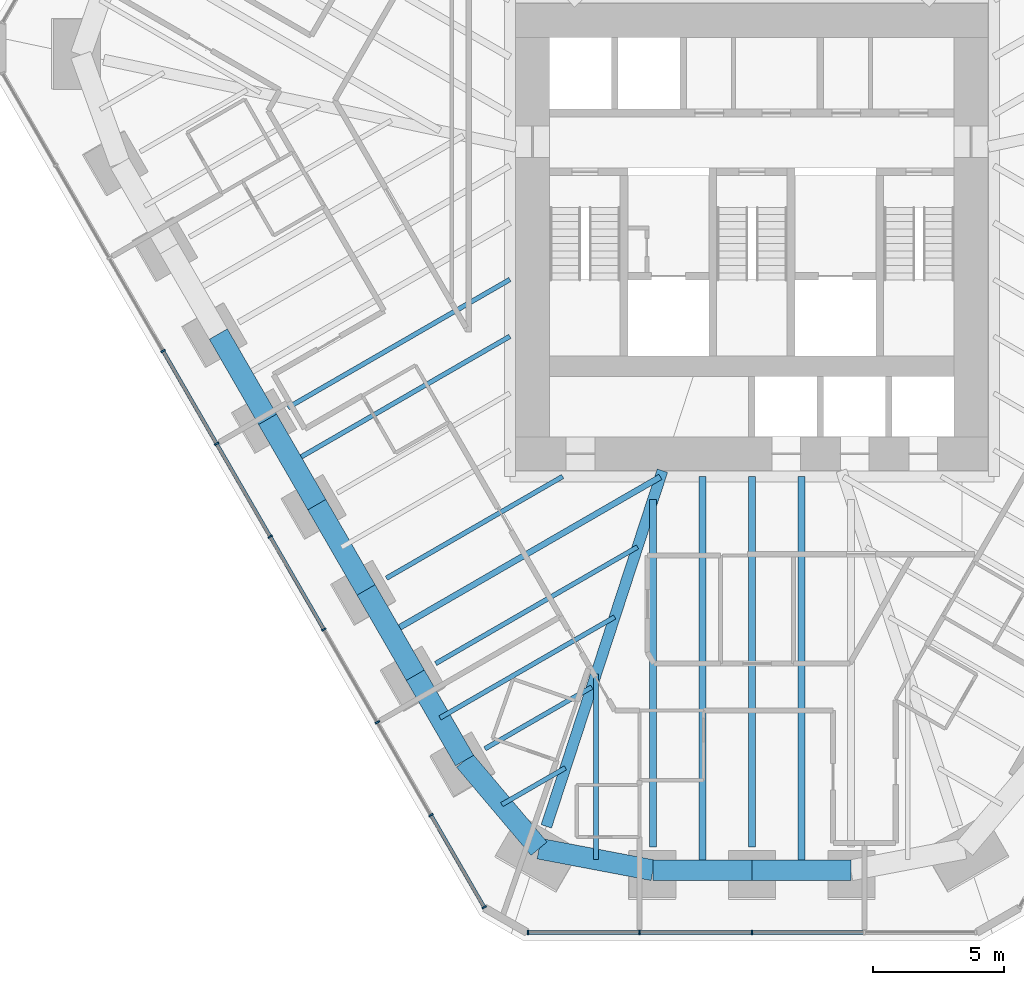
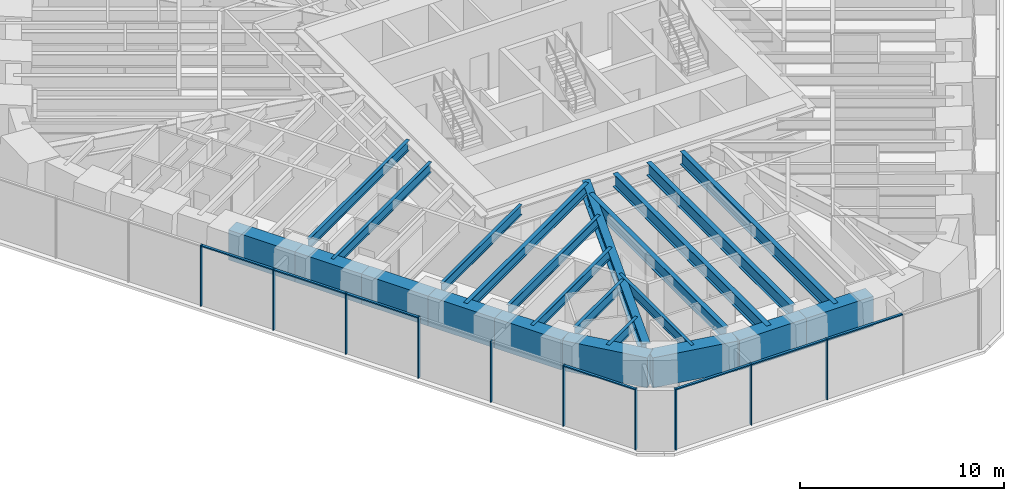
# One storey, part 2 of 17: 23 beams, 17 members, 2 elements without a shape of their own.
"""IFC4 building model written with IfcOpenShell, lengths in metres."""

from ifc_helpers import new_model, si_unit, direction, frame, origin, origin_2d, place, context, subcontext, project, spatial, rectangle, i_section, extrude, material, material_profile, profile_set, type_object, element, aggregate, save


model = new_model("IFC4")

# Units and contexts
model_context = context("Model", 3, precision=1e-05, world=origin(), true_north=direction((0.0, 1.0)))
body_context = subcontext(model_context, "Body", "Model", "MODEL_VIEW")
ifc_project = project(units=[si_unit("LENGTHUNIT", "METRE"), si_unit("AREAUNIT", "SQUARE_METRE"), si_unit("VOLUMEUNIT", "CUBIC_METRE"), si_unit("PLANEANGLEUNIT", "RADIAN"), si_unit("MASSUNIT", "GRAM", prefix="KILO")], contexts=[model_context])

# Site, building, storey
site_placement = place(None, origin())
site = spatial("IfcSite", under=ifc_project, at=site_placement, CompositionType="ELEMENT")
building_placement = place(site_placement, origin())
building = spatial("IfcBuilding", under=site, at=building_placement, Name="Sandreach Pilgrim Tower", CompositionType="ELEMENT")
storey_placement = place(building_placement, frame((0.0, 0.0, 165.199951171875)))
storey = spatial("IfcBuildingStorey", under=building, at=storey_placement, Name="L41", CompositionType="ELEMENT", Elevation=165.199951171875)

# Curtain wall, members
ifc_material_1 = material(Name="Aluminium framed curtain wall", Category="aluminium")
curtain_wall_type = type_object("IfcCurtainWallType", Name="Hotel tower curtain wall", PredefinedType="NOTDEFINED", material=ifc_material_1)
curtain_wall_1_placement = place(storey_placement, origin())
curtain_wall_1 = element("IfcCurtainWall", 1, at=curtain_wall_1_placement, inside=storey, type_object=curtain_wall_type, Name="CW-2 L41 S", PredefinedType="NOTDEFINED")
ifc_material_2 = material(Name="Aluminium extrusion", Category="aluminium")
ifc_material_profile_1 = material_profile(ifc_material_2, rectangle(XDim=0.06494140625, YDim=0.179931640625, at=origin_2d()), Name="CW-2M 65X180")
ifc_profile_set_1 = profile_set([ifc_material_profile_1], Name="Aluminium extrusion")
member_type_1 = type_object("IfcMemberType", Name="CW-2 mullion", PredefinedType="MULLION", material=ifc_profile_set_1)
member_1_placement = place(storey_placement, frame((0.0, -28.192138671875, 0.0), z_axis=(0.0, 0.0, 1.0), x_axis=(-1.0, 0.0, 0.0)))
member_1 = element("IfcMember", 2, at=member_1_placement, type_object=member_type_1, Name="CW-2 mullion 3", PredefinedType="MULLION", context=body_context, shape_type="SweptSolid", body=[
    extrude(rectangle(XDim=0.06494140625, YDim=0.179931640625, at=origin_2d()), origin(), (0.0, 0.0, 1.0), 3.64013671875),
])
member_2_placement = place(storey_placement, frame((-4.3056640625, -28.192138671875, 0.0), z_axis=(0.0, 0.0, 1.0), x_axis=(-1.0, 0.0, 0.0)))
member_2 = element("IfcMember", 3, at=member_2_placement, type_object=member_type_1, Name="CW-2 mullion 4", PredefinedType="MULLION", context=body_context, shape_type="SweptSolid", body=[
    extrude(rectangle(XDim=0.06494140625, YDim=0.179931640625, at=origin_2d()), origin(), (0.0, 0.0, 1.0), 3.64013671875),
])
member_3_placement = place(storey_placement, frame((-8.578857421875, -28.192138671875, 0.0), z_axis=(0.0, 0.0, 1.0), x_axis=(-1.0, 0.0, 0.0)))
member_3 = element("IfcMember", 4, at=member_3_placement, type_object=member_type_1, Name="CW-2 mullion 5", PredefinedType="MULLION", context=body_context, shape_type="SweptSolid", body=[
    extrude(rectangle(XDim=0.06494140625, YDim=0.179931640625, at=origin_2d()), origin(), (0.0, 0.0, 1.0), 3.64013671875),
])

curtain_wall_2_placement = place(storey_placement, origin())
curtain_wall_2 = element("IfcCurtainWall", 5, at=curtain_wall_2_placement, inside=storey, type_object=curtain_wall_type, Name="CW-2 L41 SW", PredefinedType="NOTDEFINED")
member_4_placement = place(storey_placement, frame((-10.255859375, -27.22412109375, 0.0), z_axis=(0.0, 0.0, 1.0), x_axis=(-0.5, 0.866025403784, 0.0)))
member_4 = element("IfcMember", 6, at=member_4_placement, type_object=member_type_1, Name="CW-2 mullion 1", PredefinedType="MULLION", context=body_context, shape_type="SweptSolid", body=[
    extrude(rectangle(XDim=0.06494140625, YDim=0.179931640625, at=origin_2d()), origin(), (0.0, 0.0, 1.0), 3.64013671875),
])
member_5_placement = place(storey_placement, frame((-12.29296875, -23.695556640625, 0.0), z_axis=(0.0, 0.0, 1.0), x_axis=(-0.5, 0.866025403784, 0.0)))
member_5 = element("IfcMember", 7, at=member_5_placement, type_object=member_type_1, Name="CW-2 mullion 2", PredefinedType="MULLION", context=body_context, shape_type="SweptSolid", body=[
    extrude(rectangle(XDim=0.06494140625, YDim=0.179931640625, at=origin_2d()), origin(), (0.0, 0.0, 1.0), 3.64013671875),
])
member_6_placement = place(storey_placement, frame((-14.346435546875, -20.138671875, 0.0), z_axis=(0.0, 0.0, 1.0), x_axis=(-0.5, 0.866025403784, 0.0)))
member_6 = element("IfcMember", 8, at=member_6_placement, type_object=member_type_1, Name="CW-2 mullion 3", PredefinedType="MULLION", context=body_context, shape_type="SweptSolid", body=[
    extrude(rectangle(XDim=0.06494140625, YDim=0.179931640625, at=origin_2d()), origin(), (0.0, 0.0, 1.0), 3.64013671875),
])
member_7_placement = place(storey_placement, frame((-16.39990234375, -16.58203125, 0.0), z_axis=(0.0, 0.0, 1.0), x_axis=(-0.5, 0.866025403784, 0.0)))
member_7 = element("IfcMember", 9, at=member_7_placement, type_object=member_type_1, Name="CW-2 mullion 4", PredefinedType="MULLION", context=body_context, shape_type="SweptSolid", body=[
    extrude(rectangle(XDim=0.06494140625, YDim=0.179931640625, at=origin_2d()), origin(), (0.0, 0.0, 1.0), 3.64013671875),
])
member_8_placement = place(storey_placement, frame((-18.453369140625, -13.025146484375, 0.0), z_axis=(0.0, 0.0, 1.0), x_axis=(-0.5, 0.866025403784, 0.0)))
member_8 = element("IfcMember", 10, at=member_8_placement, type_object=member_type_1, Name="CW-2 mullion 5", PredefinedType="MULLION", context=body_context, shape_type="SweptSolid", body=[
    extrude(rectangle(XDim=0.06494140625, YDim=0.179931640625, at=origin_2d()), origin(), (0.0, 0.0, 1.0), 3.64013671875),
])
member_9_placement = place(storey_placement, frame((-20.5068359375, -9.468505859375, 0.0), z_axis=(0.0, 0.0, 1.0), x_axis=(-0.5, 0.866025403784, 0.0)))
member_9 = element("IfcMember", 11, at=member_9_placement, type_object=member_type_1, Name="CW-2 mullion 6", PredefinedType="MULLION", context=body_context, shape_type="SweptSolid", body=[
    extrude(rectangle(XDim=0.06494140625, YDim=0.179931640625, at=origin_2d()), origin(), (0.0, 0.0, 1.0), 3.64013671875),
])
member_10_placement = place(storey_placement, frame((-22.560302734375, -5.911865234375, 0.0), z_axis=(0.0, 0.0, 1.0), x_axis=(-0.5, 0.866025403784, 0.0)))
member_10 = element("IfcMember", 12, at=member_10_placement, type_object=member_type_1, Name="CW-2 mullion 7", PredefinedType="MULLION", context=body_context, shape_type="SweptSolid", body=[
    extrude(rectangle(XDim=0.06494140625, YDim=0.179931640625, at=origin_2d()), origin(), (0.0, 0.0, 1.0), 3.64013671875),
])

# Member
ifc_material_3 = material(Name="Aluminium extrusion", Category="aluminium")
ifc_material_profile_2 = material_profile(ifc_material_3, rectangle(XDim=0.139892578125, YDim=0.070068359375, at=origin_2d()), Name="CW-2T 140X70")
ifc_profile_set_2 = profile_set([ifc_material_profile_2], Name="Aluminium extrusion")
member_type_2 = type_object("IfcMemberType", Name="CW-2 transom", PredefinedType="USERDEFINED", material=ifc_profile_set_2)
member_11_placement = place(storey_placement, frame((4.273193359375, -28.192138671875, 3.60498046875), z_axis=(-1.0, 0.0, 0.0), x_axis=(0.0, -1.0, 0.0)))
member_11 = element("IfcMember", 13, at=member_11_placement, type_object=member_type_2, Name="CW-2 head transom 2", ObjectType="TRANSOM", PredefinedType="USERDEFINED", context=body_context, shape_type="SweptSolid", body=[
    extrude(rectangle(XDim=0.139892578125, YDim=0.070068359375, at=origin_2d()), origin(), (0.0, 0.0, 1.0), 4.24072265625),
])

member_12_placement = place(storey_placement, frame((-0.032470703125, -28.192138671875, 3.60498046875), z_axis=(-1.0, 0.0, 0.0), x_axis=(0.0, -1.0, 0.0)))
member_12 = element("IfcMember", 14, at=member_12_placement, type_object=member_type_2, Name="CW-2 head transom 3", ObjectType="TRANSOM", PredefinedType="USERDEFINED", context=body_context, shape_type="SweptSolid", body=[
    extrude(rectangle(XDim=0.139892578125, YDim=0.070068359375, at=origin_2d()), origin(), (0.0, 0.0, 1.0), 4.24072265625),
])

member_13_placement = place(storey_placement, frame((-4.338134765625, -28.192138671875, 3.60498046875), z_axis=(-1.0, 0.0, 0.0), x_axis=(0.0, -1.0, 0.0)))
member_13 = element("IfcMember", 15, at=member_13_placement, type_object=member_type_2, Name="CW-2 head transom 4", ObjectType="TRANSOM", PredefinedType="USERDEFINED", context=body_context, shape_type="SweptSolid", body=[
    extrude(rectangle(XDim=0.139892578125, YDim=0.070068359375, at=origin_2d()), origin(), (0.0, 0.0, 1.0), 4.208251953125),
])

aggregate(curtain_wall_1, [member_1, member_2, member_3, member_11, member_12, member_13])

member_14_placement = place(storey_placement, frame((-10.27197265625, -27.196044921875, 3.60498046875), z_axis=(-0.500015851672, 0.866016251624, 0.0), x_axis=(-0.866016251624, -0.500015851672, 0.0)))
member_14 = element("IfcMember", 16, at=member_14_placement, type_object=member_type_2, Name="CW-2 head transom 1", ObjectType="TRANSOM", PredefinedType="USERDEFINED", context=body_context, shape_type="SweptSolid", body=[
    extrude(rectangle(XDim=0.139892578125, YDim=0.070068359375, at=origin_2d()), origin(), (0.0, 0.0, 1.0), 4.009521484375),
])

member_15_placement = place(storey_placement, frame((-16.416259765625, -16.553955078125, 3.60498046875), z_axis=(-0.499997818338, 0.866026663364, 0.0), x_axis=(-0.866026663364, -0.499997818338, 0.0)))
member_15 = element("IfcMember", 17, at=member_15_placement, type_object=member_type_2, Name="CW-2 head transom 4", ObjectType="TRANSOM", PredefinedType="USERDEFINED", context=body_context, shape_type="SweptSolid", body=[
    extrude(rectangle(XDim=0.139892578125, YDim=0.070068359375, at=origin_2d()), origin(), (0.0, 0.0, 1.0), 4.0419921875),
])

member_16_placement = place(storey_placement, frame((-18.4697265625, -12.9970703125, 3.60498046875), z_axis=(-0.499997818338, 0.866026663364, 0.0), x_axis=(-0.866026663364, -0.499997818338, 0.0)))
member_16 = element("IfcMember", 18, at=member_16_placement, type_object=member_type_2, Name="CW-2 head transom 5", ObjectType="TRANSOM", PredefinedType="USERDEFINED", context=body_context, shape_type="SweptSolid", body=[
    extrude(rectangle(XDim=0.139892578125, YDim=0.070068359375, at=origin_2d()), origin(), (0.0, 0.0, 1.0), 4.0419921875),
])

member_17_placement = place(storey_placement, frame((-20.523193359375, -9.4404296875, 3.60498046875), z_axis=(-0.499997818338, 0.866026663364, 0.0), x_axis=(-0.866026663364, -0.499997818338, 0.0)))
member_17 = element("IfcMember", 19, at=member_17_placement, type_object=member_type_2, Name="CW-2 head transom 6", ObjectType="TRANSOM", PredefinedType="USERDEFINED", context=body_context, shape_type="SweptSolid", body=[
    extrude(rectangle(XDim=0.139892578125, YDim=0.070068359375, at=origin_2d()), origin(), (0.0, 0.0, 1.0), 4.0419921875),
])

aggregate(curtain_wall_2, [member_4, member_5, member_6, member_7, member_8, member_9, member_10, member_14, member_15, member_16, member_17])

# Beams
ifc_material_4 = material(Name="Steel ASTM A992 Grade 50", Category="steel")
ifc_material_profile_3 = material_profile(ifc_material_4, i_section(OverallWidth=0.419189453125, OverallDepth=0.927001953125, WebThickness=0.019287109375, FlangeThickness=0.031982421875, at=origin_2d()), Name="W36X231")
ifc_profile_set_3 = profile_set([ifc_material_profile_3], Name="Steel ASTM A992 Grade 50")
beam_type_1 = type_object("IfcBeamType", Name="Corner girder W36X231", PredefinedType="BEAM", material=ifc_profile_set_3)
beam_1_placement = place(storey_placement, frame((-7.875244140625, -24.12548828125, 3.176513671875), z_axis=(0.310314452982, 0.950633967556, 0.0), x_axis=(-0.950633967556, 0.310314452982, 0.0)))
element("IfcBeam", 20, at=beam_1_placement, inside=storey, type_object=beam_type_1, Name="BM L41 CG26", PredefinedType="BEAM", context=body_context, shape_type="SweptSolid", body=[
    extrude(i_section(OverallWidth=0.419189453125, OverallDepth=0.927001953125, WebThickness=0.019287109375, FlangeThickness=0.031982421875, at=origin_2d()), origin(), (0.0, 0.0, 1.0), 14.3330078125),
])
ifc_material_5 = material(Name="Steel ASTM A992 Grade 50", Category="steel")
ifc_material_profile_4 = material_profile(ifc_material_5, i_section(OverallWidth=0.1787109375, OverallDepth=0.60205078125, WebThickness=0.010986328125, FlangeThickness=0.014892578125, at=origin_2d()), Name="W24X62")
ifc_profile_set_4 = profile_set([ifc_material_profile_4], Name="Steel ASTM A992 Grade 50")
beam_type_2 = type_object("IfcBeamType", Name="Floor beam W24X62", PredefinedType="BEAM", material=ifc_profile_set_4)
beam_2_placement = place(storey_placement, frame((-10.228271484375, -21.154541015625, 3.339111328125), z_axis=(0.86601962067, 0.500010016514, 0.0), x_axis=(-0.500010016514, 0.86601962067, 0.0)))
element("IfcBeam", 21, at=beam_2_placement, inside=storey, type_object=beam_type_2, Name="BM L41 F27", PredefinedType="BEAM", context=body_context, shape_type="SweptSolid", body=[
    extrude(i_section(OverallWidth=0.1787109375, OverallDepth=0.60205078125, WebThickness=0.010986328125, FlangeThickness=0.014892578125, at=origin_2d()), origin(), (0.0, 0.0, 1.0), 4.72802734375),
])
beam_3_placement = place(storey_placement, frame((-12.11474609375, -17.886962890625, 3.339111328125), z_axis=(0.866015306888, 0.50001748793, 0.0), x_axis=(-0.50001748793, 0.866015306888, 0.0)))
element("IfcBeam", 22, at=beam_3_placement, inside=storey, type_object=beam_type_2, Name="BM L41 F28", PredefinedType="BEAM", context=body_context, shape_type="SweptSolid", body=[
    extrude(i_section(OverallWidth=0.1787109375, OverallDepth=0.60205078125, WebThickness=0.010986328125, FlangeThickness=0.014892578125, at=origin_2d()), origin(), (0.0, 0.0, 1.0), 8.929931640625),
])
beam_4_placement = place(storey_placement, frame((-14.00146484375, -14.619140625, 3.339111328125), z_axis=(0.866033273792, 0.499986368499, 0.0), x_axis=(-0.499986368499, 0.866033273792, 0.0)))
element("IfcBeam", 23, at=beam_4_placement, inside=storey, type_object=beam_type_2, Name="BM L41 F29", PredefinedType="BEAM", context=body_context, shape_type="SweptSolid", body=[
    extrude(i_section(OverallWidth=0.1787109375, OverallDepth=0.60205078125, WebThickness=0.010986328125, FlangeThickness=0.014892578125, at=origin_2d()), origin(), (0.0, 0.0, 1.0), 7.794189453125),
])
beam_5_placement = place(storey_placement, frame((-17.774658203125, -8.083740234375, 3.339111328125), z_axis=(0.866029472009, 0.499992953562, 0.0), x_axis=(-0.499992953562, 0.866029472009, 0.0)))
element("IfcBeam", 24, at=beam_5_placement, inside=storey, type_object=beam_type_2, Name="BM L41 F31", PredefinedType="BEAM", context=body_context, shape_type="SweptSolid", body=[
    extrude(i_section(OverallWidth=0.1787109375, OverallDepth=0.60205078125, WebThickness=0.010986328125, FlangeThickness=0.014892578125, at=origin_2d()), origin(), (0.0, 0.0, 1.0), 9.818115234375),
])
beam_6_placement = place(storey_placement, frame((-5.972412109375, -25.39501953125, 3.339111328125), z_axis=(0.0, 1.0, 0.0), x_axis=(-1.0, 0.0, 0.0)))
element("IfcBeam", 25, at=beam_6_placement, inside=storey, type_object=beam_type_2, Name="BM L41 FM25", PredefinedType="BEAM", context=body_context, shape_type="SweptSolid", body=[
    extrude(i_section(OverallWidth=0.1787109375, OverallDepth=0.60205078125, WebThickness=0.010986328125, FlangeThickness=0.014892578125, at=origin_2d()), origin(), (0.0, 0.0, 1.0), 7.098876953125),
])
beam_7_placement = place(storey_placement, frame((-9.5810546875, -23.292724609375, 3.339111328125), z_axis=(0.866029550753, 0.49999281717, 0.0), x_axis=(-0.49999281717, 0.866029550753, 0.0)))
element("IfcBeam", 26, at=beam_7_placement, inside=storey, type_object=beam_type_2, Name="BM L41 FM26", PredefinedType="BEAM", context=body_context, shape_type="SweptSolid", body=[
    extrude(i_section(OverallWidth=0.1787109375, OverallDepth=0.60205078125, WebThickness=0.010986328125, FlangeThickness=0.014892578125, at=origin_2d()), origin(), (0.0, 0.0, 1.0), 2.81396484375),
])
beam_8_placement = place(storey_placement, frame((-11.950927734375, -19.970703125, 3.339111328125), z_axis=(0.866020410975, 0.500008647699, 0.0), x_axis=(-0.500008647699, 0.866020410975, 0.0)))
element("IfcBeam", 27, at=beam_8_placement, inside=storey, type_object=beam_type_2, Name="BM L41 FM27", PredefinedType="BEAM", context=body_context, shape_type="SweptSolid", body=[
    extrude(i_section(OverallWidth=0.1787109375, OverallDepth=0.60205078125, WebThickness=0.010986328125, FlangeThickness=0.014892578125, at=origin_2d()), origin(), (0.0, 0.0, 1.0), 7.728759765625),
])
beam_9_placement = place(storey_placement, frame((-17.61083984375, -10.167724609375, 3.339111328125), z_axis=(0.866025138031, 0.500000460299, 0.0), x_axis=(-0.500000460299, 0.866025138031, 0.0)))
element("IfcBeam", 28, at=beam_9_placement, inside=storey, type_object=beam_type_2, Name="BM L41 FM30", PredefinedType="BEAM", context=body_context, shape_type="SweptSolid", body=[
    extrude(i_section(OverallWidth=0.1787109375, OverallDepth=0.60205078125, WebThickness=0.010986328125, FlangeThickness=0.014892578125, at=origin_2d()), origin(), (0.0, 0.0, 1.0), 9.62890625),
])
ifc_material_6 = material(Name="Steel ASTM A992 Grade 50", Category="steel")
ifc_material_profile_5 = material_profile(ifc_material_6, i_section(OverallWidth=0.23046875, OverallDepth=0.6171875, WebThickness=0.01318359375, FlangeThickness=0.022216796875, at=origin_2d()), Name="W24X94")
ifc_profile_set_5 = profile_set([ifc_material_profile_5], Name="Steel ASTM A992 Grade 50")
beam_type_3 = type_object("IfcBeamType", Name="Floor beam W24X94", PredefinedType="BEAM", material=ifc_profile_set_5)
beam_10_placement = place(storey_placement, frame((-13.837646484375, -16.703125, 3.33154296875), z_axis=(0.866022019834, 0.500005861128, 0.0), x_axis=(-0.500005861128, 0.866022019834, 0.0)))
element("IfcBeam", 29, at=beam_10_placement, inside=storey, type_object=beam_type_3, Name="BM L41 FM28", PredefinedType="BEAM", context=body_context, shape_type="SweptSolid", body=[
    extrude(i_section(OverallWidth=0.23046875, OverallDepth=0.6171875, WebThickness=0.01318359375, FlangeThickness=0.022216796875, at=origin_2d()), origin(), (0.0, 0.0, 1.0), 11.930908203125),
])
ifc_material_7 = material(Name="Steel ASTM A992 Grade 50", Category="steel")
ifc_material_profile_6 = material_profile(ifc_material_7, i_section(OverallWidth=0.2666015625, OverallDepth=0.761962890625, WebThickness=0.014404296875, FlangeThickness=0.021484375, at=origin_2d()), Name="W30X116")
ifc_profile_set_6 = profile_set([ifc_material_profile_6], Name="Steel ASTM A992 Grade 50")
beam_type_4 = type_object("IfcBeamType", Name="Floor beam W30X116", PredefinedType="BEAM", material=ifc_profile_set_6)
beam_11_placement = place(storey_placement, frame((0.0, -24.908935546875, 3.259033203125), z_axis=(0.0, 1.0, 0.0), x_axis=(-1.0, 0.0, 0.0)))
element("IfcBeam", 30, at=beam_11_placement, inside=storey, type_object=beam_type_4, Name="BM L41 F24", PredefinedType="BEAM", context=body_context, shape_type="SweptSolid", body=[
    extrude(i_section(OverallWidth=0.2666015625, OverallDepth=0.761962890625, WebThickness=0.014404296875, FlangeThickness=0.021484375, at=origin_2d()), origin(), (0.0, 0.0, 1.0), 14.186767578125),
])
beam_12_placement = place(storey_placement, frame((-3.790283203125, -24.908935546875, 3.259033203125), z_axis=(0.0, 1.0, 0.0), x_axis=(-1.0, 0.0, 0.0)))
element("IfcBeam", 31, at=beam_12_placement, inside=storey, type_object=beam_type_4, Name="BM L41 F25", PredefinedType="BEAM", context=body_context, shape_type="SweptSolid", body=[
    extrude(i_section(OverallWidth=0.2666015625, OverallDepth=0.761962890625, WebThickness=0.014404296875, FlangeThickness=0.021484375, at=origin_2d()), origin(), (0.0, 0.0, 1.0), 13.297607421875),
])
ifc_material_8 = material(Name="Steel ASTM A992 Grade 50", Category="steel")
ifc_material_profile_7 = material_profile(ifc_material_8, i_section(OverallWidth=0.2666015625, OverallDepth=0.77978515625, WebThickness=0.0166015625, FlangeThickness=0.030029296875, at=origin_2d()), Name="W30X148")
ifc_profile_set_7 = profile_set([ifc_material_profile_7], Name="Steel ASTM A992 Grade 50")
beam_type_5 = type_object("IfcBeamType", Name="Floor beam W30X148", PredefinedType="BEAM", material=ifc_profile_set_7)
for number, where, z_axis, x_axis, name in (
    (32, (1.89501953125, -25.80908203125, 3.250244140625), (0.0, 1.0, 0.0), (-1.0, 0.0, 0.0), "BM L41 FM23"),
    (33, (-1.89501953125, -25.80908203125, 3.250244140625), (0.0, 1.0, 0.0), (-1.0, 0.0, 0.0), "BM L41 FM24"),
):
    element("IfcBeam", number, at=place(storey_placement, frame(where, z_axis=z_axis, x_axis=x_axis)), inside=storey, type_object=beam_type_5, Name=name, PredefinedType="BEAM", context=body_context, shape_type="SweptSolid", body=[
        extrude(i_section(OverallWidth=0.2666015625, OverallDepth=0.77978515625, WebThickness=0.0166015625, FlangeThickness=0.030029296875, at=origin_2d()), origin(), (0.0, 0.0, 1.0), 15.0869140625),
    ])
ifc_material_9 = material(Name="Concrete 10000 psi", Category="concrete")
ifc_material_profile_8 = material_profile(ifc_material_9, rectangle(XDim=0.800048828125, YDim=1.800048828125, at=origin_2d()), Name="RC800X1800")
ifc_profile_set_8 = profile_set([ifc_material_profile_8], Name="Concrete 10000 psi")
beam_type_6 = type_object("IfcBeamType", Name="Spandrel beam RC800X1800", PredefinedType="SPANDREL", material=ifc_profile_set_8)
for number, where, z_axis, x_axis, name in (
    (34, (3.790283203125, -25.80908203125, 2.739990234375), (-1.0, 0.0, 0.0), (0.0, -1.0, 0.0), "BM L41 SP23"),
    (35, (0.0, -25.80908203125, 2.739990234375), (-1.0, 0.0, 0.0), (0.0, -1.0, 0.0), "BM L41 SP24"),
):
    element("IfcBeam", number, at=place(storey_placement, frame(where, z_axis=z_axis, x_axis=x_axis)), inside=storey, type_object=beam_type_6, Name=name, PredefinedType="SPANDREL", context=body_context, shape_type="SweptSolid", body=[
        extrude(rectangle(XDim=0.800048828125, YDim=1.800048828125, at=origin_2d()), origin(), (0.0, 0.0, 1.0), 3.790283203125),
    ])
beam_13_placement = place(storey_placement, frame((-3.790283203125, -25.80908203125, 2.739990234375), z_axis=(-0.982469172485, 0.186425119326, 0.0), x_axis=(-0.186425119326, -0.982469172485, 0.0)))
element("IfcBeam", 36, at=beam_13_placement, inside=storey, type_object=beam_type_6, Name="BM L41 SP25", PredefinedType="SPANDREL", context=body_context, shape_type="SweptSolid", body=[
    extrude(rectangle(XDim=0.800048828125, YDim=1.800048828125, at=origin_2d()), origin(), (0.0, 0.0, 1.0), 4.442138671875),
])
beam_14_placement = place(storey_placement, frame((-8.154541015625, -24.98095703125, 2.739990234375), z_axis=(-0.645417213797, 0.763830229917, 0.0), x_axis=(-0.763830229917, -0.645417213797, 0.0)))
element("IfcBeam", 37, at=beam_14_placement, inside=storey, type_object=beam_type_6, Name="BM L41 SP26", PredefinedType="SPANDREL", context=body_context, shape_type="SweptSolid", body=[
    extrude(rectangle(XDim=0.800048828125, YDim=1.800048828125, at=origin_2d()), origin(), (0.0, 0.0, 1.0), 4.42041015625),
])
beam_15_placement = place(storey_placement, frame((-11.007568359375, -21.6044921875, 2.739990234375), z_axis=(-0.500036104519, 0.866004557827, 0.0), x_axis=(-0.866004557827, -0.500036104519, 0.0)))
element("IfcBeam", 38, at=beam_15_placement, inside=storey, type_object=beam_type_6, Name="BM L41 SP27", PredefinedType="SPANDREL", context=body_context, shape_type="SweptSolid", body=[
    extrude(rectangle(XDim=0.800048828125, YDim=1.800048828125, at=origin_2d()), origin(), (0.0, 0.0, 1.0), 3.773193359375),
])
beam_16_placement = place(storey_placement, frame((-12.894287109375, -18.3369140625, 2.739990234375), z_axis=(-0.500008086624, 0.86602073492, 0.0), x_axis=(-0.86602073492, -0.500008086624, 0.0)))
element("IfcBeam", 39, at=beam_16_placement, inside=storey, type_object=beam_type_6, Name="BM L41 SP28", PredefinedType="SPANDREL", context=body_context, shape_type="SweptSolid", body=[
    extrude(rectangle(XDim=0.800048828125, YDim=1.800048828125, at=origin_2d()), origin(), (0.0, 0.0, 1.0), 3.7734375),
])
beam_17_placement = place(storey_placement, frame((-14.781005859375, -15.069091796875, 2.739990234375), z_axis=(-0.499987576152, 0.866032576578, 0.0), x_axis=(-0.866032576578, -0.499987576152, 0.0)))
element("IfcBeam", 40, at=beam_17_placement, inside=storey, type_object=beam_type_6, Name="BM L41 SP29", PredefinedType="SPANDREL", context=body_context, shape_type="SweptSolid", body=[
    extrude(rectangle(XDim=0.800048828125, YDim=1.800048828125, at=origin_2d()), origin(), (0.0, 0.0, 1.0), 3.77294921875),
])
beam_18_placement = place(storey_placement, frame((-16.66748046875, -11.801513671875, 2.739990234375), z_axis=(-0.500008086624, 0.86602073492, 0.0), x_axis=(-0.86602073492, -0.500008086624, 0.0)))
element("IfcBeam", 41, at=beam_18_placement, inside=storey, type_object=beam_type_6, Name="BM L41 SP30", PredefinedType="SPANDREL", context=body_context, shape_type="SweptSolid", body=[
    extrude(rectangle(XDim=0.800048828125, YDim=1.800048828125, at=origin_2d()), origin(), (0.0, 0.0, 1.0), 3.7734375),
])
beam_19_placement = place(storey_placement, frame((-18.55419921875, -8.53369140625, 2.739990234375), z_axis=(-0.499987576152, 0.866032576578, 0.0), x_axis=(-0.866032576578, -0.499987576152, 0.0)))
element("IfcBeam", 42, at=beam_19_placement, inside=storey, type_object=beam_type_6, Name="BM L41 SP31", PredefinedType="SPANDREL", context=body_context, shape_type="SweptSolid", body=[
    extrude(rectangle(XDim=0.800048828125, YDim=1.800048828125, at=origin_2d()), origin(), (0.0, 0.0, 1.0), 3.77294921875),
])

save(model, "model.ifc")
